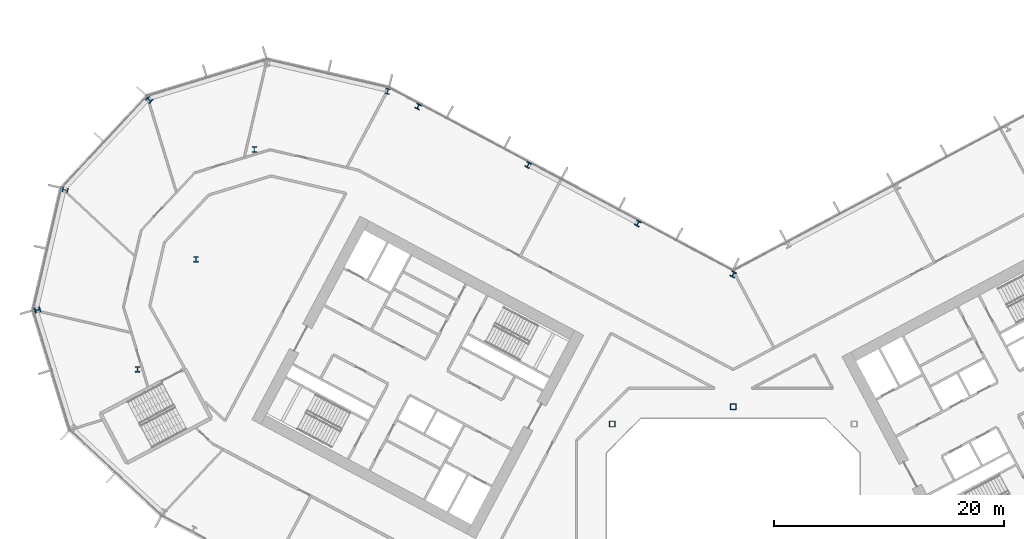
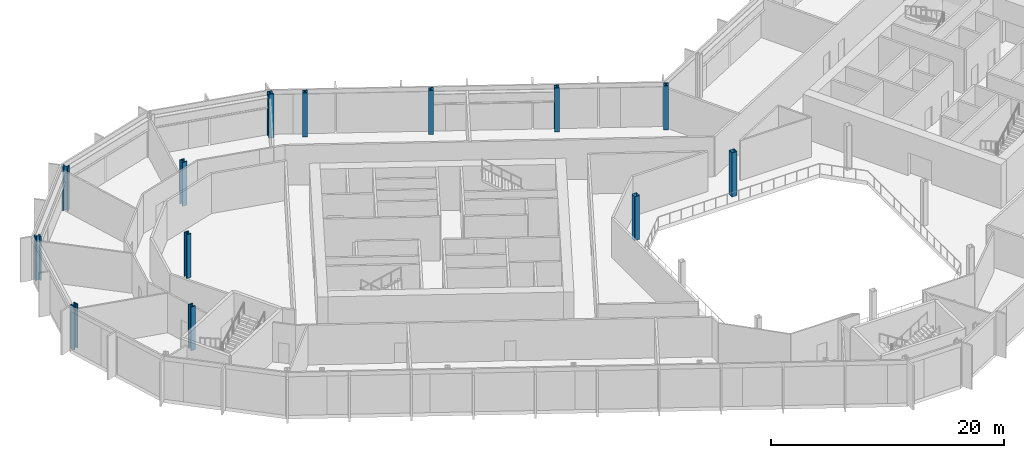
# One storey, part 2 of 31: 13 columns.
"""IFC4 building model written with IfcOpenShell, lengths in metres."""

from ifc_helpers import new_model, si_unit, direction, frame, origin, origin_2d, place, context, subcontext, project, spatial, hollow_rectangle, i_section, extrude, material, material_profile, profile_set, type_object, element, save


model = new_model("IFC4")

# Units and contexts
model_context = context("Model", 3, precision=1e-05, world=origin(), true_north=direction((0.0, 1.0)))
body_context = subcontext(model_context, "Body", "Model", "MODEL_VIEW")
ifc_project = project(units=[si_unit("LENGTHUNIT", "METRE"), si_unit("AREAUNIT", "SQUARE_METRE"), si_unit("VOLUMEUNIT", "CUBIC_METRE"), si_unit("PLANEANGLEUNIT", "RADIAN"), si_unit("MASSUNIT", "GRAM", prefix="KILO")], contexts=[model_context])

# Site, building, storey
site_placement = place(None, origin())
site = spatial("IfcSite", under=ifc_project, at=site_placement, CompositionType="ELEMENT")
building_placement = place(site_placement, origin())
building = spatial("IfcBuilding", under=site, at=building_placement, Name="Cormorant Relay Tower", CompositionType="ELEMENT")
storey_placement = place(building_placement, frame((0.0, 0.0, 107.60009765625)))
storey = spatial("IfcBuildingStorey", under=building, at=storey_placement, Name="L21", CompositionType="ELEMENT", Elevation=107.60009765625)

# Columns
ifc_material_1 = material(Name="Steel ASTM A500 Grade C (Fy 345 MPa)", Category="steel")
ifc_material_profile_1 = material_profile(ifc_material_1, hollow_rectangle(XDim=0.508056640625, YDim=0.508056640625, WallThickness=0.020751953125, InnerFilletRadius=0.01025390625, OuterFilletRadius=0.031005859375, at=origin_2d()), Name="HSS508x508x21")
ifc_profile_set_1 = profile_set([ifc_material_profile_1], Name="Steel ASTM A500 Grade C (Fy 345 MPa)")
column_type_1 = type_object("IfcColumnType", Name="Column HSS508x508x21", PredefinedType="COLUMN", material=ifc_profile_set_1)
for number, where, z_axis, x_axis, name in (
    (1, (-10.5, 10.5, 0.0), (0.0, 0.0, 1.0), (1.0, 0.0, 0.0), "Column L21-022"),
    (2, (0.0, 12.0, 0.0), (0.0, 0.0, 1.0), (1.0, 0.0, 0.0), "Column L21-024"),
):
    element("IfcColumn", number, at=place(storey_placement, frame(where, z_axis=z_axis, x_axis=x_axis)), inside=storey, type_object=column_type_1, Name=name, PredefinedType="COLUMN", context=body_context, shape_type="SweptSolid", body=[
        extrude(hollow_rectangle(XDim=0.508056640625, YDim=0.508056640625, WallThickness=0.020751953125, InnerFilletRadius=0.01025390625, OuterFilletRadius=0.031005859375, at=origin_2d()), origin(), (0.0, 0.0, 1.0), 4.599853515625),
    ])
ifc_material_2 = material(Name="Steel ASTM A992 (Fy 345 MPa)", Category="steel")
ifc_material_profile_2 = material_profile(ifc_material_2, i_section(OverallWidth=0.42431640625, OverallDepth=0.47509765625, WebThickness=0.0478515625, FlangeThickness=0.0771484375, FilletRadius=0.014892578125, at=origin_2d()), Name="W360x634")
ifc_profile_set_2 = profile_set([ifc_material_profile_2], Name="Steel ASTM A992 (Fy 345 MPa)")
column_type_2 = type_object("IfcColumnType", Name="Column W360x634", PredefinedType="COLUMN", material=ifc_profile_set_2)
for number, where, z_axis, x_axis, name in (
    (3, (-8.26611328125, 27.906982421875, 0.0), (0.0, 0.0, 1.0), (-0.882947592859, 0.469471562786, 0.0), "Column L21-036"),
    (4, (-17.802001953125, 32.97802734375, 0.0), (0.0, 0.0, 1.0), (-0.882947592859, 0.469471562786, 0.0), "Column L21-041"),
    (5, (-27.337890625, 38.048095703125, 0.0), (0.0, 0.0, 1.0), (-0.882947592859, 0.469471562786, 0.0), "Column L21-046"),
):
    element("IfcColumn", number, at=place(storey_placement, frame(where, z_axis=z_axis, x_axis=x_axis)), inside=storey, type_object=column_type_2, Name=name, PredefinedType="COLUMN", context=body_context, shape_type="SweptSolid", body=[
        extrude(i_section(OverallWidth=0.42431640625, OverallDepth=0.47509765625, WebThickness=0.0478515625, FlangeThickness=0.0771484375, FilletRadius=0.014892578125, at=origin_2d()), origin(), (0.0, 0.0, 1.0), 4.599853515625),
    ])
ifc_material_3 = material(Name="Steel ASTM A992 (Fy 345 MPa)", Category="steel")
ifc_material_profile_3 = material_profile(ifc_material_3, i_section(OverallWidth=0.43701171875, OverallDepth=0.51318359375, WebThickness=0.060546875, FlangeThickness=0.096923828125, FilletRadius=0.015380859375, at=origin_2d()), Name="W360x818")
ifc_profile_set_3 = profile_set([ifc_material_profile_3], Name="Steel ASTM A992 (Fy 345 MPa)")
column_type_3 = type_object("IfcColumnType", Name="Column W360x818", PredefinedType="COLUMN", material=ifc_profile_set_3)
for number, where, z_axis, x_axis, name in (
    (6, (-51.68994140625, 15.251953125, 0.0), (0.0, 0.0, 1.0), (1.0, 0.0, 0.0), "Column L21-027"),
    (7, (-60.3701171875, 20.406005859375, 0.0), (0.0, 0.0, 1.0), (0.292371704723, -0.956304755963, 0.0), "Column L21-030"),
    (8, (0.0, 23.48388671875, 0.0), (0.0, 0.0, 1.0), (-0.882947592859, 0.469471562786, 0.0), "Column L21-032"),
    (9, (-46.6201171875, 24.7880859375, 0.0), (0.0, 0.0, 1.0), (1.0, 0.0, 0.0), "Column L21-034"),
    (10, (-57.966064453125, 30.821044921875, 0.0), (0.0, 0.0, 1.0), (-0.224951054344, -0.974370064785, 0.0), "Column L21-038"),
    (11, (-41.549072265625, 34.323974609375, 0.0), (0.0, 0.0, 1.0), (1.0, 0.0, 0.0), "Column L21-043"),
    (12, (-50.675048828125, 38.637939453125, 0.0), (0.0, 0.0, 1.0), (-0.681998360062, -0.731353701619, 0.0), "Column L21-047"),
    (13, (-29.98193359375, 39.3779296875, 0.0), (0.0, 0.0, 1.0), (-0.974370064785, 0.224951054344, 0.0), "Column L21-048"),
):
    element("IfcColumn", number, at=place(storey_placement, frame(where, z_axis=z_axis, x_axis=x_axis)), inside=storey, type_object=column_type_3, Name=name, PredefinedType="COLUMN", context=body_context, shape_type="SweptSolid", body=[
        extrude(i_section(OverallWidth=0.43701171875, OverallDepth=0.51318359375, WebThickness=0.060546875, FlangeThickness=0.096923828125, FilletRadius=0.015380859375, at=origin_2d()), origin(), (0.0, 0.0, 1.0), 4.599853515625),
    ])

save(model, "model.ifc")
